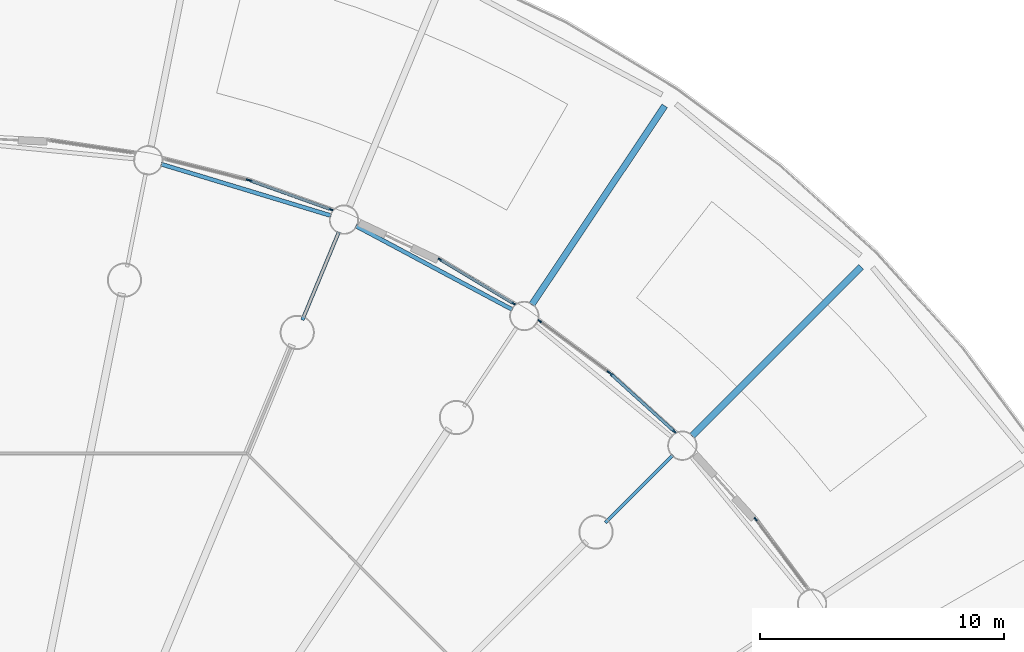
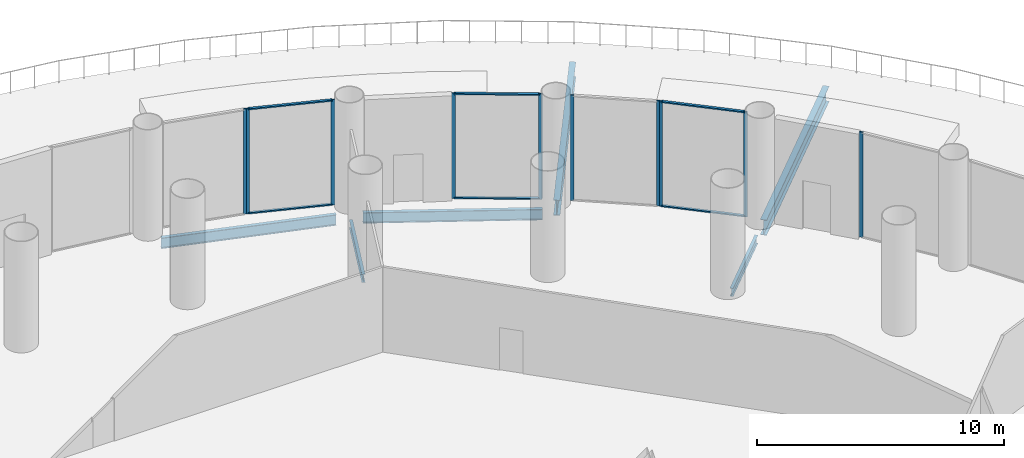
# One storey, part 24 of 36: 16 members, 6 beams, 6 elements without a shape of their own.
"""IFC4 building model written with IfcOpenShell, lengths in metres."""

from ifc_helpers import new_model, si_unit, direction, frame, origin, origin_2d, place, context, subcontext, project, spatial, rectangle, i_section, extrude, material, material_profile, profile_set, type_object, element, aggregate, save


model = new_model("IFC4")

# Units and contexts
model_context = context("Model", 3, precision=1e-05, world=origin(), true_north=direction((0.0, 1.0)))
body_context = subcontext(model_context, "Body", "Model", "MODEL_VIEW")
ifc_project = project(units=[si_unit("LENGTHUNIT", "METRE"), si_unit("AREAUNIT", "SQUARE_METRE"), si_unit("VOLUMEUNIT", "CUBIC_METRE"), si_unit("PLANEANGLEUNIT", "RADIAN"), si_unit("MASSUNIT", "GRAM", prefix="KILO")], contexts=[model_context])

# Site, building, storey
site_placement = place(None, origin())
site = spatial("IfcSite", under=ifc_project, at=site_placement, CompositionType="ELEMENT")
building_placement = place(site_placement, origin())
building = spatial("IfcBuilding", under=site, at=building_placement, Name="Corvane Civic Tower", CompositionType="ELEMENT")
storey_placement = place(building_placement, frame((0.0, 0.0, 6.0)))
storey = spatial("IfcBuildingStorey", under=building, at=storey_placement, Name="L01", CompositionType="ELEMENT", Elevation=6.0)

# Beams
ifc_material_1 = material(Name="Steel ASTM A992 Gr 50", Category="steel")
ifc_material_profile_1 = material_profile(ifc_material_1, i_section(OverallWidth=0.2666015625, OverallDepth=0.7568359375, WebThickness=0.013916015625, FlangeThickness=0.019287109375, at=origin_2d()), Name="W30X108")
ifc_profile_set_1 = profile_set([ifc_material_profile_1], Name="Steel ASTM A992 Gr 50")
beam_type_1 = type_object("IfcBeamType", Name="DECK BEAM W30X108", PredefinedType="BEAM", material=ifc_profile_set_1)
beam_1_placement = place(storey_placement, frame((24.0283203125, 35.961181640625, -0.678466796875), z_axis=(0.555579498385, 0.831463421309, 0.0), x_axis=(-0.831463421309, 0.555579498385, 0.0)))
element("IfcBeam", 1, at=beam_1_placement, inside=storey, type_object=beam_type_1, Name="BM-L01-D04", PredefinedType="BEAM", context=body_context, shape_type="SweptSolid", body=[
    extrude(i_section(OverallWidth=0.2666015625, OverallDepth=0.7568359375, WebThickness=0.013916015625, FlangeThickness=0.019287109375, at=origin_2d()), origin(), (0.0, 0.0, 1.0), 9.7998046875),
])
beam_2_placement = place(storey_placement, frame((30.582275390625, 30.582275390625, -0.678466796875), z_axis=(0.707106781187, 0.707106781187, 0.0), x_axis=(-0.707106781187, 0.707106781187, 0.0)))
element("IfcBeam", 2, at=beam_2_placement, inside=storey, type_object=beam_type_1, Name="BM-L01-D05", PredefinedType="BEAM", context=body_context, shape_type="SweptSolid", body=[
    extrude(i_section(OverallWidth=0.2666015625, OverallDepth=0.7568359375, WebThickness=0.013916015625, FlangeThickness=0.019287109375, at=origin_2d()), origin(), (0.0, 0.0, 1.0), 9.800048828125),
])
ifc_material_2 = material(Name="Steel ASTM A992 Gr 50", Category="steel")
ifc_material_profile_2 = material_profile(ifc_material_2, i_section(OverallWidth=0.165771484375, OverallDepth=0.5283203125, WebThickness=0.009765625, FlangeThickness=0.013671875, at=origin_2d()), Name="W21X50")
ifc_profile_set_2 = profile_set([ifc_material_profile_2], Name="Steel ASTM A992 Gr 50")
beam_type_2 = type_object("IfcBeamType", Name="EDGE BEAM W21X50", PredefinedType="BEAM", material=ifc_profile_set_2)
beam_3_placement = place(storey_placement, frame((8.856689453125, 41.719970703125, -0.564208984375), z_axis=(0.956938225664, -0.290291633127, 0.0), x_axis=(0.290291633127, 0.956938225664, 0.0)))
element("IfcBeam", 3, at=beam_3_placement, inside=storey, type_object=beam_type_2, Name="BM-L01-E02", PredefinedType="BEAM", context=body_context, shape_type="SweptSolid", body=[
    extrude(i_section(OverallWidth=0.165771484375, OverallDepth=0.5283203125, WebThickness=0.009765625, FlangeThickness=0.013671875, at=origin_2d()), origin(), (0.0, 0.0, 1.0), 7.2705078125),
])
beam_4_placement = place(storey_placement, frame((16.82568359375, 39.1904296875, -0.564208984375), z_axis=(0.881912894916, -0.471412394598, 0.0), x_axis=(0.471412394598, 0.881912894916, 0.0)))
element("IfcBeam", 4, at=beam_4_placement, inside=storey, type_object=beam_type_2, Name="BM-L01-E03", PredefinedType="BEAM", context=body_context, shape_type="SweptSolid", body=[
    extrude(i_section(OverallWidth=0.165771484375, OverallDepth=0.5283203125, WebThickness=0.009765625, FlangeThickness=0.013671875, at=origin_2d()), origin(), (0.0, 0.0, 1.0), 7.270751953125),
])
ifc_material_3 = material(Name="Steel ASTM A992 Gr 50", Category="steel")
ifc_material_profile_3 = material_profile(ifc_material_3, i_section(OverallWidth=0.140380859375, OverallDepth=0.40380859375, WebThickness=0.007080078125, FlangeThickness=0.01123046875, at=origin_2d()), Name="W16X31")
ifc_profile_set_3 = profile_set([ifc_material_profile_3], Name="Steel ASTM A992 Gr 50")
beam_type_3 = type_object("IfcBeamType", Name="FLOOR GIRDER W16X31", PredefinedType="BEAM", material=ifc_profile_set_3)
for number, where, z_axis, x_axis, name in (
    (5, (14.6376953125, 35.33837890625, -0.501953125), (0.382685369162, 0.923878730261, 0.0), (-0.923878730261, 0.382685369162, 0.0), "BM-L01-G03b"),
    (6, (27.046875, 27.046875, -0.501953125), (0.707106781187, 0.707106781187, 0.0), (-0.707106781187, 0.707106781187, 0.0), "BM-L01-G05b"),
):
    element("IfcBeam", number, at=place(storey_placement, frame(where, z_axis=z_axis, x_axis=x_axis)), inside=storey, type_object=beam_type_3, Name=name, PredefinedType="BEAM", context=body_context, shape_type="SweptSolid", body=[
        extrude(i_section(OverallWidth=0.140380859375, OverallDepth=0.40380859375, WebThickness=0.007080078125, FlangeThickness=0.01123046875, at=origin_2d()), origin(), (0.0, 0.0, 1.0), 3.89990234375),
    ])

# Curtain wall, member
ifc_material_4 = material(Name="Aluminium and glass", Category="aluminium")
curtain_wall_type = type_object("IfcCurtainWallType", Name="PODIUM-CW-P-RUN", PredefinedType="NOTDEFINED", material=ifc_material_4)
curtain_wall_1_placement = place(storey_placement, origin())
curtain_wall_1 = element("IfcCurtainWall", 7, at=curtain_wall_1_placement, inside=storey, type_object=curtain_wall_type, Name="PODI run L01-drum-02A", PredefinedType="NOTDEFINED")
ifc_material_5 = material(Name="Anodised aluminium bronze", Category="aluminium")
ifc_material_profile_4 = material_profile(ifc_material_5, rectangle(XDim=0.06005859375, YDim=0.159912109375, at=origin_2d()), Name="AL 60x160")
ifc_profile_set_4 = profile_set([ifc_material_profile_4], Name="Anodised aluminium bronze")
member_type_1 = type_object("IfcMemberType", Name="PODIUM-CWP-MULLION-60x160", PredefinedType="MULLION", material=ifc_profile_set_4)
member_1_placement = place(storey_placement, frame((12.411865234375, 41.0732421875, 0.0), z_axis=(0.0, 0.0, 1.0), x_axis=(0.243008852393, 0.970024070659, 0.0)))
member_1 = element("IfcMember", 8, at=member_1_placement, type_object=member_type_1, Name="CW-P mullion 2", PredefinedType="MULLION", context=body_context, shape_type="SweptSolid", body=[
    extrude(rectangle(XDim=0.06005859375, YDim=0.159912109375, at=origin_2d()), origin(), (0.0, 0.0, 1.0), 5.199951171875),
])
aggregate(curtain_wall_1, [member_1])

# Curtain wall, members
curtain_wall_2_placement = place(storey_placement, origin())
curtain_wall_2 = element("IfcCurtainWall", 9, at=curtain_wall_2_placement, inside=storey, type_object=curtain_wall_type, Name="PODI run L01-drum-02B", PredefinedType="NOTDEFINED")
member_2_placement = place(storey_placement, frame((12.4990234375, 41.046875, 0.0), z_axis=(0.0, 0.0, 1.0), x_axis=(0.336918534123, 0.941533802561, 0.0)))
member_2 = element("IfcMember", 10, at=member_2_placement, type_object=member_type_1, Name="CW-P mullion 1", PredefinedType="MULLION", context=body_context, shape_type="SweptSolid", body=[
    extrude(rectangle(XDim=0.06005859375, YDim=0.159912109375, at=origin_2d()), origin(), (0.0, 0.0, 1.0), 5.199951171875),
])
member_3_placement = place(storey_placement, frame((15.81298828125, 39.861083984375, 0.0), z_axis=(0.0, 0.0, 1.0), x_axis=(0.336918534123, 0.941533802561, 0.0)))
member_3 = element("IfcMember", 11, at=member_3_placement, type_object=member_type_1, Name="CW-P mullion 2", PredefinedType="MULLION", context=body_context, shape_type="SweptSolid", body=[
    extrude(rectangle(XDim=0.06005859375, YDim=0.159912109375, at=origin_2d()), origin(), (0.0, 0.0, 1.0), 5.199951171875),
])

curtain_wall_3_placement = place(storey_placement, origin())
curtain_wall_3 = element("IfcCurtainWall", 12, at=curtain_wall_3_placement, inside=storey, type_object=curtain_wall_type, Name="PODI run L01-drum-03B", PredefinedType="NOTDEFINED")
member_4_placement = place(storey_placement, frame((20.2666015625, 37.819580078125, 0.0), z_axis=(0.0, 0.0, 1.0), x_axis=(0.514117759857, 0.857719609779, 0.0)))
member_4 = element("IfcMember", 13, at=member_4_placement, type_object=member_type_1, Name="CW-P mullion 1", PredefinedType="MULLION", context=body_context, shape_type="SweptSolid", body=[
    extrude(rectangle(XDim=0.06005859375, YDim=0.159912109375, at=origin_2d()), origin(), (0.0, 0.0, 1.0), 5.199951171875),
])
member_5_placement = place(storey_placement, frame((23.28564453125, 36.010009765625, 0.0), z_axis=(0.0, 0.0, 1.0), x_axis=(0.514117759857, 0.857719609779, 0.0)))
member_5 = element("IfcMember", 14, at=member_5_placement, type_object=member_type_1, Name="CW-P mullion 2", PredefinedType="MULLION", context=body_context, shape_type="SweptSolid", body=[
    extrude(rectangle(XDim=0.06005859375, YDim=0.159912109375, at=origin_2d()), origin(), (0.0, 0.0, 1.0), 5.199951171875),
])

curtain_wall_4_placement = place(storey_placement, origin())
curtain_wall_4 = element("IfcCurtainWall", 15, at=curtain_wall_4_placement, inside=storey, type_object=curtain_wall_type, Name="PODI run L01-drum-04A", PredefinedType="NOTDEFINED")
member_6_placement = place(storey_placement, frame((24.35791015625, 35.293701171875, 0.0), z_axis=(0.0, 0.0, 1.0), x_axis=(0.595705104665, 0.803203229747, 0.0)))
member_6 = element("IfcMember", 16, at=member_6_placement, type_object=member_type_1, Name="CW-P mullion 1", PredefinedType="MULLION", context=body_context, shape_type="SweptSolid", body=[
    extrude(rectangle(XDim=0.06005859375, YDim=0.159912109375, at=origin_2d()), origin(), (0.0, 0.0, 1.0), 5.199951171875),
])
member_7_placement = place(storey_placement, frame((27.18505859375, 33.197021484375, 0.0), z_axis=(0.0, 0.0, 1.0), x_axis=(0.595705104665, 0.803203229747, 0.0)))
member_7 = element("IfcMember", 17, at=member_7_placement, type_object=member_type_1, Name="CW-P mullion 2", PredefinedType="MULLION", context=body_context, shape_type="SweptSolid", body=[
    extrude(rectangle(XDim=0.06005859375, YDim=0.159912109375, at=origin_2d()), origin(), (0.0, 0.0, 1.0), 5.199951171875),
])
aggregate(curtain_wall_4, [member_6, member_7])

curtain_wall_5_placement = place(storey_placement, origin())
curtain_wall_5 = element("IfcCurtainWall", 18, at=curtain_wall_5_placement, inside=storey, type_object=curtain_wall_type, Name="PODI run L01-drum-04B", PredefinedType="NOTDEFINED")
member_8_placement = place(storey_placement, frame((27.25537109375, 33.13916015625, 0.0), z_axis=(0.0, 0.0, 1.0), x_axis=(0.671576457952, 0.740935261089, 0.0)))
member_8 = element("IfcMember", 19, at=member_8_placement, type_object=member_type_1, Name="CW-P mullion 1", PredefinedType="MULLION", context=body_context, shape_type="SweptSolid", body=[
    extrude(rectangle(XDim=0.06005859375, YDim=0.159912109375, at=origin_2d()), origin(), (0.0, 0.0, 1.0), 5.199951171875),
])
member_9_placement = place(storey_placement, frame((29.863525390625, 30.775390625, 0.0), z_axis=(0.0, 0.0, 1.0), x_axis=(0.671576457952, 0.740935261089, 0.0)))
member_9 = element("IfcMember", 20, at=member_9_placement, type_object=member_type_1, Name="CW-P mullion 2", PredefinedType="MULLION", context=body_context, shape_type="SweptSolid", body=[
    extrude(rectangle(XDim=0.06005859375, YDim=0.159912109375, at=origin_2d()), origin(), (0.0, 0.0, 1.0), 5.199951171875),
])

# Curtain wall, member
curtain_wall_6_placement = place(storey_placement, origin())
curtain_wall_6 = element("IfcCurtainWall", 21, at=curtain_wall_6_placement, inside=storey, type_object=curtain_wall_type, Name="PODI run L01-drum-05B", PredefinedType="NOTDEFINED")
member_10_placement = place(storey_placement, frame((33.197021484375, 27.18505859375, 0.0), z_axis=(0.0, 0.0, 1.0), x_axis=(0.803203229747, 0.595705104665, 0.0)))
member_10 = element("IfcMember", 22, at=member_10_placement, type_object=member_type_1, Name="CW-P mullion 1", PredefinedType="MULLION", context=body_context, shape_type="SweptSolid", body=[
    extrude(rectangle(XDim=0.06005859375, YDim=0.159912109375, at=origin_2d()), origin(), (0.0, 0.0, 1.0), 5.199951171875),
])
aggregate(curtain_wall_6, [member_10])

# Member
ifc_material_6 = material(Name="Anodised aluminium bronze", Category="aluminium")
ifc_material_profile_5 = material_profile(ifc_material_6, rectangle(XDim=0.1201171875, YDim=0.06005859375, at=origin_2d()), Name="AL 120x60")
ifc_profile_set_5 = profile_set([ifc_material_profile_5], Name="Anodised aluminium bronze")
member_type_2 = type_object("IfcMemberType", Name="PODIUM-CWP-TRANSOM-60x120", PredefinedType="USERDEFINED", material=ifc_profile_set_5)
member_11_placement = place(storey_placement, frame((12.527099609375, 41.036865234375, 0.030029296875), z_axis=(0.941526196838, -0.336939787896, 0.0), x_axis=(0.336939787896, 0.941526196838, 0.0)))
member_11 = element("IfcMember", 23, at=member_11_placement, type_object=member_type_2, Name="CW-P transom 1.1", ObjectType="TRANSOM", PredefinedType="USERDEFINED", context=body_context, shape_type="SweptSolid", body=[
    extrude(rectangle(XDim=0.1201171875, YDim=0.06005859375, at=origin_2d()), origin(), (0.0, 0.0, 1.0), 3.4599609375),
])

member_12_placement = place(storey_placement, frame((12.527099609375, 41.036865234375, 5.169921875), z_axis=(0.941526196838, -0.336939787896, 0.0), x_axis=(0.336939787896, 0.941526196838, 0.0)))
member_12 = element("IfcMember", 24, at=member_12_placement, type_object=member_type_2, Name="CW-P transom 1.2", ObjectType="TRANSOM", PredefinedType="USERDEFINED", context=body_context, shape_type="SweptSolid", body=[
    extrude(rectangle(XDim=0.1201171875, YDim=0.06005859375, at=origin_2d()), origin(), (0.0, 0.0, 1.0), 3.4599609375),
])

aggregate(curtain_wall_2, [member_2, member_3, member_11, member_12])

member_13_placement = place(storey_placement, frame((20.29248046875, 37.80419921875, 0.030029296875), z_axis=(0.857723234181, -0.514111713099, 0.0), x_axis=(0.514111713099, 0.857723234181, 0.0)))
member_13 = element("IfcMember", 25, at=member_13_placement, type_object=member_type_2, Name="CW-P transom 1.1", ObjectType="TRANSOM", PredefinedType="USERDEFINED", context=body_context, shape_type="SweptSolid", body=[
    extrude(rectangle(XDim=0.1201171875, YDim=0.06005859375, at=origin_2d()), origin(), (0.0, 0.0, 1.0), 3.45947265625),
])

member_14_placement = place(storey_placement, frame((20.29248046875, 37.80419921875, 5.169921875), z_axis=(0.857723234181, -0.514111713099, 0.0), x_axis=(0.514111713099, 0.857723234181, 0.0)))
member_14 = element("IfcMember", 26, at=member_14_placement, type_object=member_type_2, Name="CW-P transom 1.2", ObjectType="TRANSOM", PredefinedType="USERDEFINED", context=body_context, shape_type="SweptSolid", body=[
    extrude(rectangle(XDim=0.1201171875, YDim=0.06005859375, at=origin_2d()), origin(), (0.0, 0.0, 1.0), 3.45947265625),
])

aggregate(curtain_wall_3, [member_4, member_5, member_13, member_14])

member_15_placement = place(storey_placement, frame((27.277587890625, 33.119140625, 0.030029296875), z_axis=(0.740935382865, -0.671576323599, 0.0), x_axis=(0.671576323599, 0.740935382865, 0.0)))
member_15 = element("IfcMember", 27, at=member_15_placement, type_object=member_type_2, Name="CW-P transom 1.1", ObjectType="TRANSOM", PredefinedType="USERDEFINED", context=body_context, shape_type="SweptSolid", body=[
    extrude(rectangle(XDim=0.1201171875, YDim=0.06005859375, at=origin_2d()), origin(), (0.0, 0.0, 1.0), 3.460205078125),
])

member_16_placement = place(storey_placement, frame((27.277587890625, 33.119140625, 5.169921875), z_axis=(0.740935382865, -0.671576323599, 0.0), x_axis=(0.671576323599, 0.740935382865, 0.0)))
member_16 = element("IfcMember", 28, at=member_16_placement, type_object=member_type_2, Name="CW-P transom 1.2", ObjectType="TRANSOM", PredefinedType="USERDEFINED", context=body_context, shape_type="SweptSolid", body=[
    extrude(rectangle(XDim=0.1201171875, YDim=0.06005859375, at=origin_2d()), origin(), (0.0, 0.0, 1.0), 3.460205078125),
])

aggregate(curtain_wall_5, [member_8, member_9, member_15, member_16])

save(model, "model.ifc")
